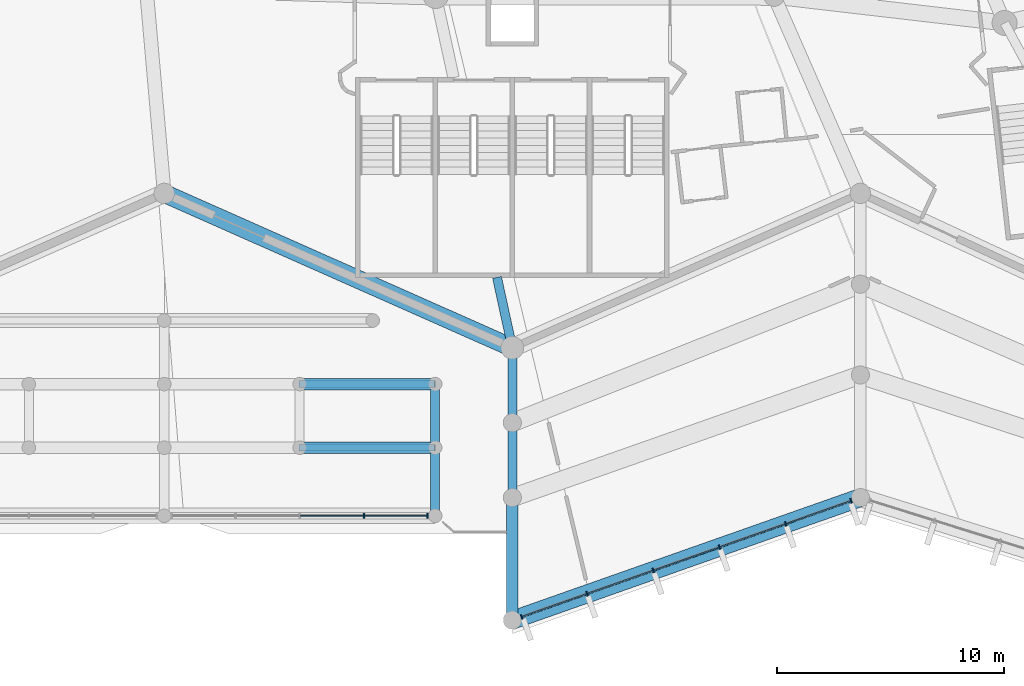
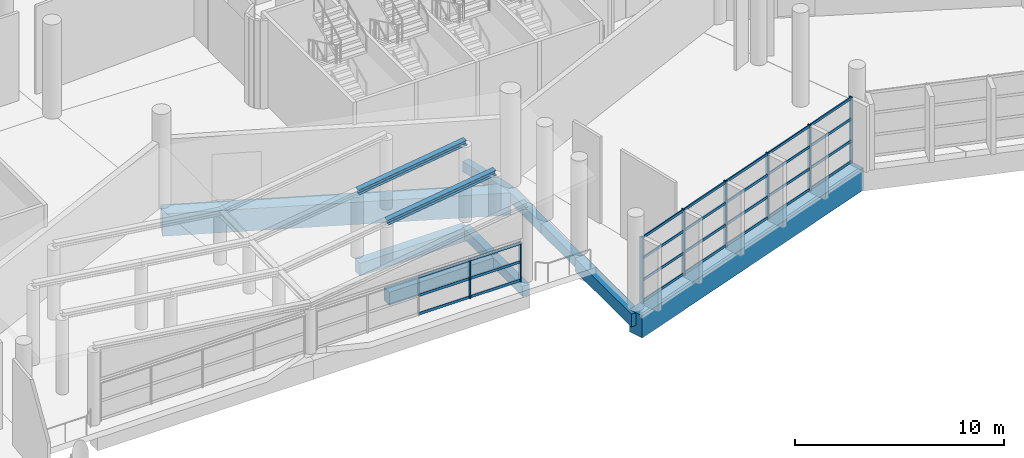
# One storey, part 39 of 271: 34 members, 12 beams, 2 elements without a shape of their own.
"""IFC4 building model written with IfcOpenShell, lengths in metres."""

from ifc_helpers import new_model, si_unit, direction, frame, origin, origin_2d, place, context, subcontext, project, spatial, rectangle, i_section, extrude, material, layer, layer_set, material_profile, profile_set, type_object, element, aggregate, save


model = new_model("IFC4")

# Units and contexts
model_context = context("Model", 3, precision=1e-05, world=origin(), true_north=direction((0.0, 1.0)))
body_context = subcontext(model_context, "Body", "Model", "MODEL_VIEW")
ifc_project = project(units=[si_unit("LENGTHUNIT", "METRE"), si_unit("AREAUNIT", "SQUARE_METRE"), si_unit("VOLUMEUNIT", "CUBIC_METRE"), si_unit("PLANEANGLEUNIT", "RADIAN"), si_unit("MASSUNIT", "GRAM", prefix="KILO")], contexts=[model_context])

# Site, building, storey
site_placement = place(None, origin())
site = spatial("IfcSite", under=ifc_project, at=site_placement, CompositionType="ELEMENT")
building_placement = place(site_placement, origin())
building = spatial("IfcBuilding", under=site, at=building_placement, Name="Meseta Stadium", CompositionType="ELEMENT")
storey_placement = place(building_placement, frame((0.0, 0.0, 6.5)))
storey = spatial("IfcBuildingStorey", under=building, at=storey_placement, Name="L01", CompositionType="ELEMENT", Elevation=6.5)

# Beams
ifc_material_1 = material(Name="Steel S355", Category="steel")
ifc_material_profile_1 = material_profile(ifc_material_1, i_section(OverallWidth=0.300048828125, OverallDepth=0.300048828125, WebThickness=0.010986328125, FlangeThickness=0.01904296875, FilletRadius=0.027099609375, at=origin_2d()), Name="HEB 300")
ifc_profile_set_1 = profile_set([ifc_material_profile_1], Name="Steel S355")
beam_type_1 = type_object("IfcBeamType", Name="Gate roof beam HEB 300 rafter", PredefinedType="BEAM", material=ifc_profile_set_1)
for number, where, z_axis, x_axis, name in (
    (1, (13.63330078125, -107.0, 3.710693359375), (0.99034508476, 0.0, 0.138623998976), (0.0, 1.0, 0.0), "Gate 7 roof rafter"),
    (2, (13.63330078125, -109.800048828125, 3.65478515625), (0.99034508476, 0.0, 0.138623998976), (0.0, 1.0, 0.0), "Gate 7 roof rafter"),
):
    element("IfcBeam", number, at=place(storey_placement, frame(where, z_axis=z_axis, x_axis=x_axis)), inside=storey, type_object=beam_type_1, Name=name, PredefinedType="BEAM", context=body_context, shape_type="SweptSolid", body=[
        extrude(i_section(OverallWidth=0.300048828125, OverallDepth=0.300048828125, WebThickness=0.010986328125, FlangeThickness=0.01904296875, FilletRadius=0.027099609375, at=origin_2d()), origin(), (0.0, 0.0, 1.0), 6.02490234375),
    ])
ifc_material_2 = material(Name="Concrete C40/50", Category="concrete")
ifc_material_profile_2 = material_profile(ifc_material_2, rectangle(XDim=0.39990234375, YDim=0.60009765625, at=origin_2d()), Name="RC 400x600")
ifc_profile_set_2 = profile_set([ifc_material_profile_2], Name="Concrete C40/50")
beam_type_2 = type_object("IfcBeamType", Name="RC beam 400x600", PredefinedType="BEAM", material=ifc_profile_set_2)
beam_1_placement = place(storey_placement, frame((22.3251953125, -102.300048828125, -0.64990234375), z_axis=(0.212707595725, -0.977115898305, 0.0), x_axis=(0.977115898305, 0.212707595725, 0.0)))
element("IfcBeam", 3, at=beam_1_placement, inside=storey, type_object=beam_type_2, Name="L01 radial beam frame 48 line P to R", PredefinedType="BEAM", context=body_context, shape_type="SweptSolid", body=[
    extrude(rectangle(XDim=0.39990234375, YDim=0.60009765625, at=origin_2d()), origin(), (0.0, 0.0, 1.0), 3.17236328125),
])
for number, where, z_axis, x_axis, name in (
    (4, (23.0, -105.39990234375, -0.64990234375), (0.0, -1.0, 0.0), (1.0, 0.0, 0.0), "L01 radial beam frame 48 line R to M"),
    (5, (23.0, -108.699951171875, -0.64990234375), (0.0, -1.0, 0.0), (1.0, 0.0, 0.0), "L01 radial beam frame 48 line M to Q"),
):
    element("IfcBeam", number, at=place(storey_placement, frame(where, z_axis=z_axis, x_axis=x_axis)), inside=storey, type_object=beam_type_2, Name=name, PredefinedType="BEAM", context=body_context, shape_type="SweptSolid", body=[
        extrude(rectangle(XDim=0.39990234375, YDim=0.60009765625, at=origin_2d()), origin(), (0.0, 0.0, 1.0), 3.300048828125),
    ])
beam_2_placement = place(storey_placement, frame((19.60009765625, -107.0, -0.64990234375), z_axis=(0.0, -1.0, 0.0), x_axis=(1.0, 0.0, 0.0)))
element("IfcBeam", 6, at=beam_2_placement, inside=storey, type_object=beam_type_2, Name="Gate 7 floor beam", PredefinedType="BEAM", context=body_context, shape_type="SweptSolid", body=[
    extrude(rectangle(XDim=0.39990234375, YDim=0.60009765625, at=origin_2d()), origin(), (0.0, 0.0, 1.0), 2.800048828125),
])
beam_3_placement = place(storey_placement, frame((19.60009765625, -109.800048828125, -0.64990234375), z_axis=(0.0, -1.0, 0.0), x_axis=(1.0, 0.0, 0.0)))
element("IfcBeam", 7, at=beam_3_placement, inside=storey, type_object=beam_type_2, Name="Gate 7 floor beam", PredefinedType="BEAM", context=body_context, shape_type="SweptSolid", body=[
    extrude(rectangle(XDim=0.39990234375, YDim=0.60009765625, at=origin_2d()), origin(), (0.0, 0.0, 1.0), 3.0),
])
ifc_material_3 = material(Name="Concrete C40/50", Category="concrete")
ifc_material_profile_3 = material_profile(ifc_material_3, rectangle(XDim=0.5, YDim=0.75, at=origin_2d()), Name="RC 500x750")
ifc_profile_set_3 = profile_set([ifc_material_profile_3], Name="Concrete C40/50")
beam_type_3 = type_object("IfcBeamType", Name="RC beam 500x750", PredefinedType="BEAM", material=ifc_profile_set_3)
beam_4_placement = place(storey_placement, frame((23.0, -112.0, -0.72509765625), z_axis=(0.0, -1.0, 0.0), x_axis=(1.0, 0.0, 0.0)))
element("IfcBeam", 8, at=beam_4_placement, inside=storey, type_object=beam_type_3, Name="L01 radial beam frame 48 line Q to O", PredefinedType="BEAM", context=body_context, shape_type="SweptSolid", body=[
    extrude(rectangle(XDim=0.5, YDim=0.75, at=origin_2d()), origin(), (0.0, 0.0, 1.0), 5.39990234375),
])
for number, where, z_axis, x_axis, name in (
    (9, (13.63330078125, -107.0, -0.72509765625), (1.0, 0.0, 0.0), (0.0, 1.0, 0.0), "Gate 7 floor beam"),
    (10, (13.63330078125, -109.800048828125, -0.72509765625), (1.0, 0.0, 0.0), (0.0, 1.0, 0.0), "Gate 7 floor beam"),
):
    element("IfcBeam", number, at=place(storey_placement, frame(where, z_axis=z_axis, x_axis=x_axis)), inside=storey, type_object=beam_type_3, Name=name, PredefinedType="BEAM", context=body_context, shape_type="SweptSolid", body=[
        extrude(rectangle(XDim=0.5, YDim=0.75, at=origin_2d()), origin(), (0.0, 0.0, 1.0), 5.966796875),
    ])
ifc_material_4 = material(Name="Concrete C40/50", Category="concrete")
ifc_material_profile_4 = material_profile(ifc_material_4, rectangle(XDim=0.800048828125, YDim=1.300048828125, at=origin_2d()), Name="RC 800x1300")
ifc_profile_set_4 = profile_set([ifc_material_profile_4], Name="Concrete C40/50")
beam_type_4 = type_object("IfcBeamType", Name="RC beam 800x1300", PredefinedType="BEAM", material=ifc_profile_set_4)
beam_5_placement = place(storey_placement, frame((7.666748046875, -98.60009765625, -1.0), z_axis=(0.914142564088, -0.405392861953, 0.0), x_axis=(0.405392861953, 0.914142564088, 0.0)))
element("IfcBeam", 11, at=beam_5_placement, inside=storey, type_object=beam_type_4, Name="L01 ring beam frame 47 line R", PredefinedType="BEAM", context=body_context, shape_type="SweptSolid", body=[
    extrude(rectangle(XDim=0.800048828125, YDim=1.300048828125, at=origin_2d()), origin(), (0.0, 0.0, 1.0), 16.7734375),
])
beam_6_placement = place(storey_placement, frame((23.0, -117.39990234375, -1.0), z_axis=(0.943218573019, 0.332172731439, 0.0), x_axis=(-0.332172731439, 0.943218573019, 0.0)))
element("IfcBeam", 12, at=beam_6_placement, inside=storey, type_object=beam_type_4, Name="L01 ring beam frame 48 line O", PredefinedType="BEAM", context=body_context, shape_type="SweptSolid", body=[
    extrude(rectangle(XDim=0.800048828125, YDim=1.300048828125, at=origin_2d()), origin(), (0.0, 0.0, 1.0), 16.25634765625),
])

# Curtain wall, members
ifc_material_5 = material(Name="Aluminium", Category="aluminium")
ifc_layer_1 = layer(ifc_material_5, 0.199951171875)
ifc_layer_set_1 = layer_set([ifc_layer_1], Name="Ring shopfront curtain wall")
curtain_wall_type_1 = type_object("IfcCurtainWallType", Name="Ring shopfront curtain wall", PredefinedType="NOTDEFINED", material=ifc_layer_set_1)
curtain_wall_1_placement = place(storey_placement, origin())
curtain_wall_1 = element("IfcCurtainWall", 13, at=curtain_wall_1_placement, inside=storey, type_object=curtain_wall_type_1, Name="Ring glazing L01 F48", PredefinedType="NOTDEFINED")
ifc_material_6 = material(Name="Aluminium", Category="aluminium")
ifc_material_profile_5 = material_profile(ifc_material_6, rectangle(XDim=0.199951171875, YDim=0.06005859375, at=origin_2d()), Name="CW 200x60")
ifc_profile_set_5 = profile_set([ifc_material_profile_5], Name="Aluminium")
member_type_1 = type_object("IfcMemberType", Name="Ring CW mullion 60x200", PredefinedType="MULLION", material=ifc_profile_set_5)
member_1_placement = place(storey_placement, frame((23.405517578125, -117.257080078125, 0.0), z_axis=(0.0, 0.0, 1.0), x_axis=(-0.332174330154, 0.943218009999, 0.0)))
member_1 = element("IfcMember", 14, at=member_1_placement, type_object=member_type_1, Name="CWR1 mullion 1", PredefinedType="MULLION", context=body_context, shape_type="SweptSolid", body=[
    extrude(rectangle(XDim=0.199951171875, YDim=0.06005859375, at=origin_2d()), origin(), (0.0, 0.0, 1.0), 3.85009765625),
])
member_2_placement = place(storey_placement, frame((26.29296875, -116.240234375, 0.0), z_axis=(0.0, 0.0, 1.0), x_axis=(-0.332174330154, 0.943218009999, 0.0)))
member_2 = element("IfcMember", 15, at=member_2_placement, type_object=member_type_1, Name="CWR1 mullion 2", PredefinedType="MULLION", context=body_context, shape_type="SweptSolid", body=[
    extrude(rectangle(XDim=0.199951171875, YDim=0.06005859375, at=origin_2d()), origin(), (0.0, 0.0, 1.0), 3.85009765625),
])
member_3_placement = place(storey_placement, frame((29.208740234375, -115.21337890625, 0.0), z_axis=(0.0, 0.0, 1.0), x_axis=(-0.332174330154, 0.943218009999, 0.0)))
member_3 = element("IfcMember", 16, at=member_3_placement, type_object=member_type_1, Name="CWR1 mullion 3", PredefinedType="MULLION", context=body_context, shape_type="SweptSolid", body=[
    extrude(rectangle(XDim=0.199951171875, YDim=0.06005859375, at=origin_2d()), origin(), (0.0, 0.0, 1.0), 3.85009765625),
])
member_4_placement = place(storey_placement, frame((32.12451171875, -114.1865234375, 0.0), z_axis=(0.0, 0.0, 1.0), x_axis=(-0.332174330154, 0.943218009999, 0.0)))
member_4 = element("IfcMember", 17, at=member_4_placement, type_object=member_type_1, Name="CWR1 mullion 4", PredefinedType="MULLION", context=body_context, shape_type="SweptSolid", body=[
    extrude(rectangle(XDim=0.199951171875, YDim=0.06005859375, at=origin_2d()), origin(), (0.0, 0.0, 1.0), 3.85009765625),
])
member_5_placement = place(storey_placement, frame((35.040283203125, -113.15966796875, 0.0), z_axis=(0.0, 0.0, 1.0), x_axis=(-0.332174330154, 0.943218009999, 0.0)))
member_5 = element("IfcMember", 18, at=member_5_placement, type_object=member_type_1, Name="CWR1 mullion 5", PredefinedType="MULLION", context=body_context, shape_type="SweptSolid", body=[
    extrude(rectangle(XDim=0.199951171875, YDim=0.06005859375, at=origin_2d()), origin(), (0.0, 0.0, 1.0), 3.85009765625),
])
member_6_placement = place(storey_placement, frame((37.927734375, -112.142822265625, 0.0), z_axis=(0.0, 0.0, 1.0), x_axis=(-0.332174330154, 0.943218009999, 0.0)))
member_6 = element("IfcMember", 19, at=member_6_placement, type_object=member_type_1, Name="CWR1 mullion 6", PredefinedType="MULLION", context=body_context, shape_type="SweptSolid", body=[
    extrude(rectangle(XDim=0.199951171875, YDim=0.06005859375, at=origin_2d()), origin(), (0.0, 0.0, 1.0), 3.85009765625),
])

ifc_material_7 = material(Name="Aluminium", Category="aluminium")
ifc_layer_2 = layer(ifc_material_7, 0.199951171875)
ifc_layer_set_2 = layer_set([ifc_layer_2], Name="Gate hall curtain wall")
curtain_wall_type_2 = type_object("IfcCurtainWallType", Name="Gate hall curtain wall", PredefinedType="NOTDEFINED", material=ifc_layer_set_2)
curtain_wall_2_placement = place(storey_placement, origin())
curtain_wall_2 = element("IfcCurtainWall", 20, at=curtain_wall_2_placement, inside=storey, type_object=curtain_wall_type_2, Name="Gate 7 hall glazing", PredefinedType="NOTDEFINED")
member_7_placement = place(storey_placement, frame((19.27001953125, -112.800048828125, 0.0), z_axis=(0.0, 0.0, 1.0), x_axis=(0.0, -1.0, 0.0)))
member_7 = element("IfcMember", 21, at=member_7_placement, type_object=member_type_1, Name="CWG1 mullion 1", PredefinedType="MULLION", context=body_context, shape_type="SweptSolid", body=[
    extrude(rectangle(XDim=0.199951171875, YDim=0.06005859375, at=origin_2d()), origin(), (0.0, 0.0, 1.0), 2.29931640625),
])
member_8_placement = place(storey_placement, frame((16.466796875, -112.800048828125, 0.0), z_axis=(0.0, 0.0, 1.0), x_axis=(0.0, -1.0, 0.0)))
member_8 = element("IfcMember", 22, at=member_8_placement, type_object=member_type_1, Name="CWG1 mullion 2", PredefinedType="MULLION", context=body_context, shape_type="SweptSolid", body=[
    extrude(rectangle(XDim=0.199951171875, YDim=0.06005859375, at=origin_2d()), origin(), (0.0, 0.0, 1.0), 2.29931640625),
])

# Member
ifc_material_8 = material(Name="Aluminium", Category="aluminium")
ifc_material_profile_6 = material_profile(ifc_material_8, rectangle(XDim=0.06005859375, YDim=0.14990234375, at=origin_2d()), Name="CW 60x150")
ifc_profile_set_6 = profile_set([ifc_material_profile_6], Name="Aluminium")
member_type_2 = type_object("IfcMemberType", Name="Ring CW transom 60x150", PredefinedType="USERDEFINED", material=ifc_profile_set_6)
member_9_placement = place(storey_placement, frame((23.433837890625, -117.2470703125, 0.074951171875), z_axis=(0.943228878245, 0.332143467863, 0.0), x_axis=(-0.332143467863, 0.943228878245, 0.0)))
member_9 = element("IfcMember", 23, at=member_9_placement, type_object=member_type_2, Name="CWR1 transom 1.1", ObjectType="TRANSOM", PredefinedType="USERDEFINED", context=body_context, shape_type="SweptSolid", body=[
    extrude(rectangle(XDim=0.06005859375, YDim=0.14990234375, at=origin_2d()), origin(), (0.0, 0.0, 1.0), 3.001220703125),
])

member_10_placement = place(storey_placement, frame((23.433837890625, -117.2470703125, 1.283447265625), z_axis=(0.943228878245, 0.332143467863, 0.0), x_axis=(-0.332143467863, 0.943228878245, 0.0)))
member_10 = element("IfcMember", 24, at=member_10_placement, type_object=member_type_2, Name="CWR1 transom 1.2", ObjectType="TRANSOM", PredefinedType="USERDEFINED", context=body_context, shape_type="SweptSolid", body=[
    extrude(rectangle(XDim=0.06005859375, YDim=0.14990234375, at=origin_2d()), origin(), (0.0, 0.0, 1.0), 3.001220703125),
])

member_11_placement = place(storey_placement, frame((23.433837890625, -117.2470703125, 2.566650390625), z_axis=(0.943228878245, 0.332143467863, 0.0), x_axis=(-0.332143467863, 0.943228878245, 0.0)))
member_11 = element("IfcMember", 25, at=member_11_placement, type_object=member_type_2, Name="CWR1 transom 1.3", ObjectType="TRANSOM", PredefinedType="USERDEFINED", context=body_context, shape_type="SweptSolid", body=[
    extrude(rectangle(XDim=0.06005859375, YDim=0.14990234375, at=origin_2d()), origin(), (0.0, 0.0, 1.0), 3.001220703125),
])

member_12_placement = place(storey_placement, frame((23.433837890625, -117.2470703125, 3.77490234375), z_axis=(0.943228878245, 0.332143467863, 0.0), x_axis=(-0.332143467863, 0.943228878245, 0.0)))
member_12 = element("IfcMember", 26, at=member_12_placement, type_object=member_type_2, Name="CWR1 transom 1.4", ObjectType="TRANSOM", PredefinedType="USERDEFINED", context=body_context, shape_type="SweptSolid", body=[
    extrude(rectangle(XDim=0.06005859375, YDim=0.14990234375, at=origin_2d()), origin(), (0.0, 0.0, 1.0), 3.001220703125),
])

member_13_placement = place(storey_placement, frame((26.3212890625, -116.230224609375, 0.074951171875), z_axis=(0.943225032885, 0.332154387808, 0.0), x_axis=(-0.332154387808, 0.943225032885, 0.0)))
member_13 = element("IfcMember", 27, at=member_13_placement, type_object=member_type_2, Name="CWR1 transom 2.1", ObjectType="TRANSOM", PredefinedType="USERDEFINED", context=body_context, shape_type="SweptSolid", body=[
    extrude(rectangle(XDim=0.06005859375, YDim=0.14990234375, at=origin_2d()), origin(), (0.0, 0.0, 1.0), 3.03125),
])

member_14_placement = place(storey_placement, frame((26.3212890625, -116.230224609375, 1.283447265625), z_axis=(0.943225032885, 0.332154387808, 0.0), x_axis=(-0.332154387808, 0.943225032885, 0.0)))
member_14 = element("IfcMember", 28, at=member_14_placement, type_object=member_type_2, Name="CWR1 transom 2.2", ObjectType="TRANSOM", PredefinedType="USERDEFINED", context=body_context, shape_type="SweptSolid", body=[
    extrude(rectangle(XDim=0.06005859375, YDim=0.14990234375, at=origin_2d()), origin(), (0.0, 0.0, 1.0), 3.03125),
])

member_15_placement = place(storey_placement, frame((26.3212890625, -116.230224609375, 2.566650390625), z_axis=(0.943225032885, 0.332154387808, 0.0), x_axis=(-0.332154387808, 0.943225032885, 0.0)))
member_15 = element("IfcMember", 29, at=member_15_placement, type_object=member_type_2, Name="CWR1 transom 2.3", ObjectType="TRANSOM", PredefinedType="USERDEFINED", context=body_context, shape_type="SweptSolid", body=[
    extrude(rectangle(XDim=0.06005859375, YDim=0.14990234375, at=origin_2d()), origin(), (0.0, 0.0, 1.0), 3.03125),
])

member_16_placement = place(storey_placement, frame((26.3212890625, -116.230224609375, 3.77490234375), z_axis=(0.943225032885, 0.332154387808, 0.0), x_axis=(-0.332154387808, 0.943225032885, 0.0)))
member_16 = element("IfcMember", 30, at=member_16_placement, type_object=member_type_2, Name="CWR1 transom 2.4", ObjectType="TRANSOM", PredefinedType="USERDEFINED", context=body_context, shape_type="SweptSolid", body=[
    extrude(rectangle(XDim=0.06005859375, YDim=0.14990234375, at=origin_2d()), origin(), (0.0, 0.0, 1.0), 3.03125),
])

member_17_placement = place(storey_placement, frame((29.237060546875, -115.203369140625, 0.074951171875), z_axis=(0.943225032885, 0.332154387808, 0.0), x_axis=(-0.332154387808, 0.943225032885, 0.0)))
member_17 = element("IfcMember", 31, at=member_17_placement, type_object=member_type_2, Name="CWR1 transom 3.1", ObjectType="TRANSOM", PredefinedType="USERDEFINED", context=body_context, shape_type="SweptSolid", body=[
    extrude(rectangle(XDim=0.06005859375, YDim=0.14990234375, at=origin_2d()), origin(), (0.0, 0.0, 1.0), 3.03125),
])

member_18_placement = place(storey_placement, frame((29.237060546875, -115.203369140625, 1.283447265625), z_axis=(0.943225032885, 0.332154387808, 0.0), x_axis=(-0.332154387808, 0.943225032885, 0.0)))
member_18 = element("IfcMember", 32, at=member_18_placement, type_object=member_type_2, Name="CWR1 transom 3.2", ObjectType="TRANSOM", PredefinedType="USERDEFINED", context=body_context, shape_type="SweptSolid", body=[
    extrude(rectangle(XDim=0.06005859375, YDim=0.14990234375, at=origin_2d()), origin(), (0.0, 0.0, 1.0), 3.03125),
])

member_19_placement = place(storey_placement, frame((29.237060546875, -115.203369140625, 2.566650390625), z_axis=(0.943225032885, 0.332154387808, 0.0), x_axis=(-0.332154387808, 0.943225032885, 0.0)))
member_19 = element("IfcMember", 33, at=member_19_placement, type_object=member_type_2, Name="CWR1 transom 3.3", ObjectType="TRANSOM", PredefinedType="USERDEFINED", context=body_context, shape_type="SweptSolid", body=[
    extrude(rectangle(XDim=0.06005859375, YDim=0.14990234375, at=origin_2d()), origin(), (0.0, 0.0, 1.0), 3.03125),
])

member_20_placement = place(storey_placement, frame((29.237060546875, -115.203369140625, 3.77490234375), z_axis=(0.943225032885, 0.332154387808, 0.0), x_axis=(-0.332154387808, 0.943225032885, 0.0)))
member_20 = element("IfcMember", 34, at=member_20_placement, type_object=member_type_2, Name="CWR1 transom 3.4", ObjectType="TRANSOM", PredefinedType="USERDEFINED", context=body_context, shape_type="SweptSolid", body=[
    extrude(rectangle(XDim=0.06005859375, YDim=0.14990234375, at=origin_2d()), origin(), (0.0, 0.0, 1.0), 3.03125),
])

member_21_placement = place(storey_placement, frame((32.15283203125, -114.176513671875, 0.074951171875), z_axis=(0.943225032885, 0.332154387808, 0.0), x_axis=(-0.332154387808, 0.943225032885, 0.0)))
member_21 = element("IfcMember", 35, at=member_21_placement, type_object=member_type_2, Name="CWR1 transom 4.1", ObjectType="TRANSOM", PredefinedType="USERDEFINED", context=body_context, shape_type="SweptSolid", body=[
    extrude(rectangle(XDim=0.06005859375, YDim=0.14990234375, at=origin_2d()), origin(), (0.0, 0.0, 1.0), 3.03125),
])

member_22_placement = place(storey_placement, frame((32.15283203125, -114.176513671875, 1.283447265625), z_axis=(0.943225032885, 0.332154387808, 0.0), x_axis=(-0.332154387808, 0.943225032885, 0.0)))
member_22 = element("IfcMember", 36, at=member_22_placement, type_object=member_type_2, Name="CWR1 transom 4.2", ObjectType="TRANSOM", PredefinedType="USERDEFINED", context=body_context, shape_type="SweptSolid", body=[
    extrude(rectangle(XDim=0.06005859375, YDim=0.14990234375, at=origin_2d()), origin(), (0.0, 0.0, 1.0), 3.03125),
])

member_23_placement = place(storey_placement, frame((32.15283203125, -114.176513671875, 2.566650390625), z_axis=(0.943225032885, 0.332154387808, 0.0), x_axis=(-0.332154387808, 0.943225032885, 0.0)))
member_23 = element("IfcMember", 37, at=member_23_placement, type_object=member_type_2, Name="CWR1 transom 4.3", ObjectType="TRANSOM", PredefinedType="USERDEFINED", context=body_context, shape_type="SweptSolid", body=[
    extrude(rectangle(XDim=0.06005859375, YDim=0.14990234375, at=origin_2d()), origin(), (0.0, 0.0, 1.0), 3.03125),
])

member_24_placement = place(storey_placement, frame((32.15283203125, -114.176513671875, 3.77490234375), z_axis=(0.943225032885, 0.332154387808, 0.0), x_axis=(-0.332154387808, 0.943225032885, 0.0)))
member_24 = element("IfcMember", 38, at=member_24_placement, type_object=member_type_2, Name="CWR1 transom 4.4", ObjectType="TRANSOM", PredefinedType="USERDEFINED", context=body_context, shape_type="SweptSolid", body=[
    extrude(rectangle(XDim=0.06005859375, YDim=0.14990234375, at=origin_2d()), origin(), (0.0, 0.0, 1.0), 3.03125),
])

member_25_placement = place(storey_placement, frame((35.068603515625, -113.149658203125, 0.074951171875), z_axis=(0.943228878245, 0.332143467863, 0.0), x_axis=(-0.332143467863, 0.943228878245, 0.0)))
member_25 = element("IfcMember", 39, at=member_25_placement, type_object=member_type_2, Name="CWR1 transom 5.1", ObjectType="TRANSOM", PredefinedType="USERDEFINED", context=body_context, shape_type="SweptSolid", body=[
    extrude(rectangle(XDim=0.06005859375, YDim=0.14990234375, at=origin_2d()), origin(), (0.0, 0.0, 1.0), 3.001220703125),
])

member_26_placement = place(storey_placement, frame((35.068603515625, -113.149658203125, 1.283447265625), z_axis=(0.943228878245, 0.332143467863, 0.0), x_axis=(-0.332143467863, 0.943228878245, 0.0)))
member_26 = element("IfcMember", 40, at=member_26_placement, type_object=member_type_2, Name="CWR1 transom 5.2", ObjectType="TRANSOM", PredefinedType="USERDEFINED", context=body_context, shape_type="SweptSolid", body=[
    extrude(rectangle(XDim=0.06005859375, YDim=0.14990234375, at=origin_2d()), origin(), (0.0, 0.0, 1.0), 3.001220703125),
])

member_27_placement = place(storey_placement, frame((35.068603515625, -113.149658203125, 2.566650390625), z_axis=(0.943228878245, 0.332143467863, 0.0), x_axis=(-0.332143467863, 0.943228878245, 0.0)))
member_27 = element("IfcMember", 41, at=member_27_placement, type_object=member_type_2, Name="CWR1 transom 5.3", ObjectType="TRANSOM", PredefinedType="USERDEFINED", context=body_context, shape_type="SweptSolid", body=[
    extrude(rectangle(XDim=0.06005859375, YDim=0.14990234375, at=origin_2d()), origin(), (0.0, 0.0, 1.0), 3.001220703125),
])

member_28_placement = place(storey_placement, frame((35.068603515625, -113.149658203125, 3.77490234375), z_axis=(0.943228878245, 0.332143467863, 0.0), x_axis=(-0.332143467863, 0.943228878245, 0.0)))
member_28 = element("IfcMember", 42, at=member_28_placement, type_object=member_type_2, Name="CWR1 transom 5.4", ObjectType="TRANSOM", PredefinedType="USERDEFINED", context=body_context, shape_type="SweptSolid", body=[
    extrude(rectangle(XDim=0.06005859375, YDim=0.14990234375, at=origin_2d()), origin(), (0.0, 0.0, 1.0), 3.001220703125),
])

aggregate(curtain_wall_1, [member_1, member_2, member_3, member_4, member_5, member_6, member_9, member_10, member_11, member_12, member_13, member_14, member_15, member_16, member_17, member_18, member_19, member_20, member_21, member_22, member_23, member_24, member_25, member_26, member_27, member_28])

member_29_placement = place(storey_placement, frame((19.239990234375, -112.800048828125, 0.074951171875), z_axis=(-1.0, 0.0, 0.0), x_axis=(0.0, -1.0, 0.0)))
member_29 = element("IfcMember", 43, at=member_29_placement, type_object=member_type_2, Name="CWG1 transom 1.1", ObjectType="TRANSOM", PredefinedType="USERDEFINED", context=body_context, shape_type="SweptSolid", body=[
    extrude(rectangle(XDim=0.06005859375, YDim=0.14990234375, at=origin_2d()), origin(), (0.0, 0.0, 1.0), 2.743408203125),
])

member_30_placement = place(storey_placement, frame((19.239990234375, -112.800048828125, 1.149658203125), z_axis=(-1.0, 0.0, 0.0), x_axis=(0.0, -1.0, 0.0)))
member_30 = element("IfcMember", 44, at=member_30_placement, type_object=member_type_2, Name="CWG1 transom 1.2", ObjectType="TRANSOM", PredefinedType="USERDEFINED", context=body_context, shape_type="SweptSolid", body=[
    extrude(rectangle(XDim=0.06005859375, YDim=0.14990234375, at=origin_2d()), origin(), (0.0, 0.0, 1.0), 2.743408203125),
])

member_31_placement = place(storey_placement, frame((19.239990234375, -112.800048828125, 2.224365234375), z_axis=(-1.0, 0.0, 0.0), x_axis=(0.0, -1.0, 0.0)))
member_31 = element("IfcMember", 45, at=member_31_placement, type_object=member_type_2, Name="CWG1 transom 1.3", ObjectType="TRANSOM", PredefinedType="USERDEFINED", context=body_context, shape_type="SweptSolid", body=[
    extrude(rectangle(XDim=0.06005859375, YDim=0.14990234375, at=origin_2d()), origin(), (0.0, 0.0, 1.0), 2.743408203125),
])

member_32_placement = place(storey_placement, frame((16.436767578125, -112.800048828125, 0.074951171875), z_axis=(-1.0, 0.0, 0.0), x_axis=(0.0, -1.0, 0.0)))
member_32 = element("IfcMember", 46, at=member_32_placement, type_object=member_type_2, Name="CWG1 transom 2.1", ObjectType="TRANSOM", PredefinedType="USERDEFINED", context=body_context, shape_type="SweptSolid", body=[
    extrude(rectangle(XDim=0.06005859375, YDim=0.14990234375, at=origin_2d()), origin(), (0.0, 0.0, 1.0), 2.7734375),
])

member_33_placement = place(storey_placement, frame((16.436767578125, -112.800048828125, 1.149658203125), z_axis=(-1.0, 0.0, 0.0), x_axis=(0.0, -1.0, 0.0)))
member_33 = element("IfcMember", 47, at=member_33_placement, type_object=member_type_2, Name="CWG1 transom 2.2", ObjectType="TRANSOM", PredefinedType="USERDEFINED", context=body_context, shape_type="SweptSolid", body=[
    extrude(rectangle(XDim=0.06005859375, YDim=0.14990234375, at=origin_2d()), origin(), (0.0, 0.0, 1.0), 2.7734375),
])

member_34_placement = place(storey_placement, frame((16.436767578125, -112.800048828125, 2.224365234375), z_axis=(-1.0, 0.0, 0.0), x_axis=(0.0, -1.0, 0.0)))
member_34 = element("IfcMember", 48, at=member_34_placement, type_object=member_type_2, Name="CWG1 transom 2.3", ObjectType="TRANSOM", PredefinedType="USERDEFINED", context=body_context, shape_type="SweptSolid", body=[
    extrude(rectangle(XDim=0.06005859375, YDim=0.14990234375, at=origin_2d()), origin(), (0.0, 0.0, 1.0), 2.7734375),
])

aggregate(curtain_wall_2, [member_7, member_8, member_29, member_30, member_31, member_32, member_33, member_34])

save(model, "model.ifc")
